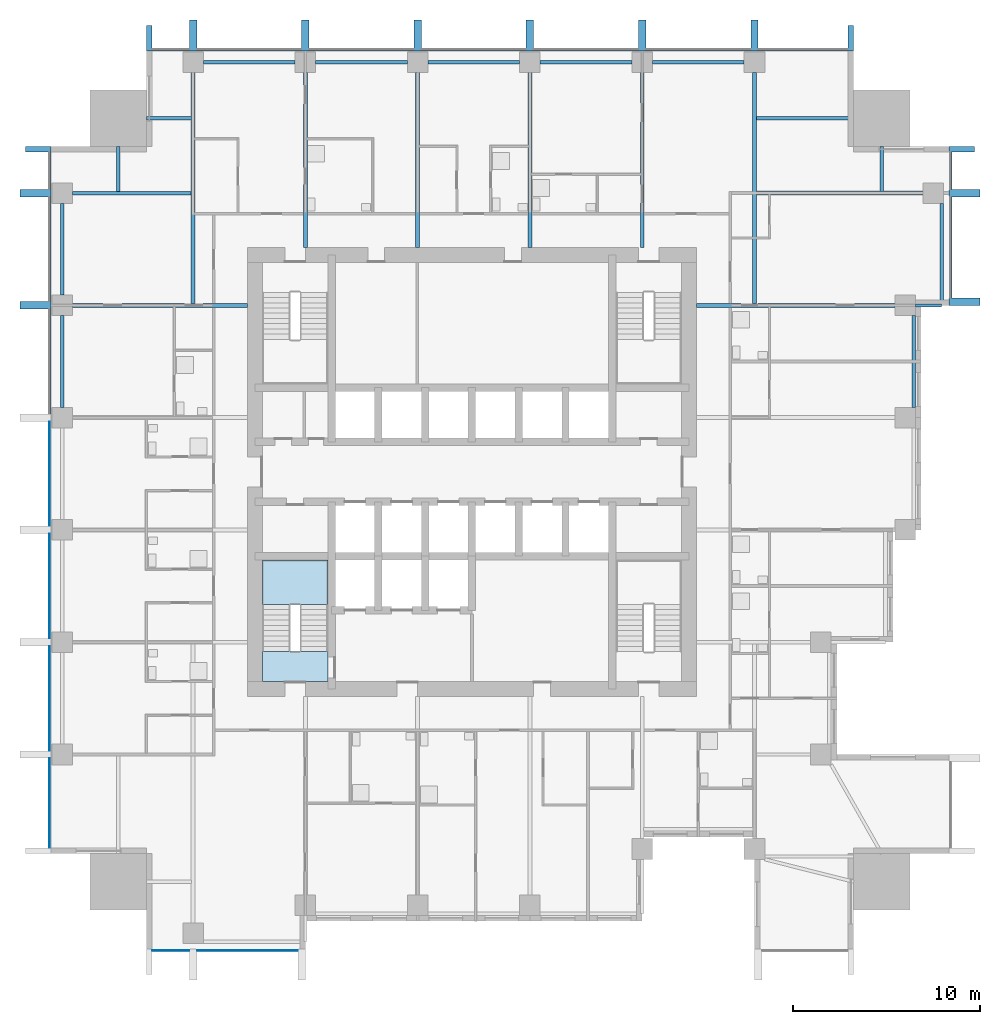
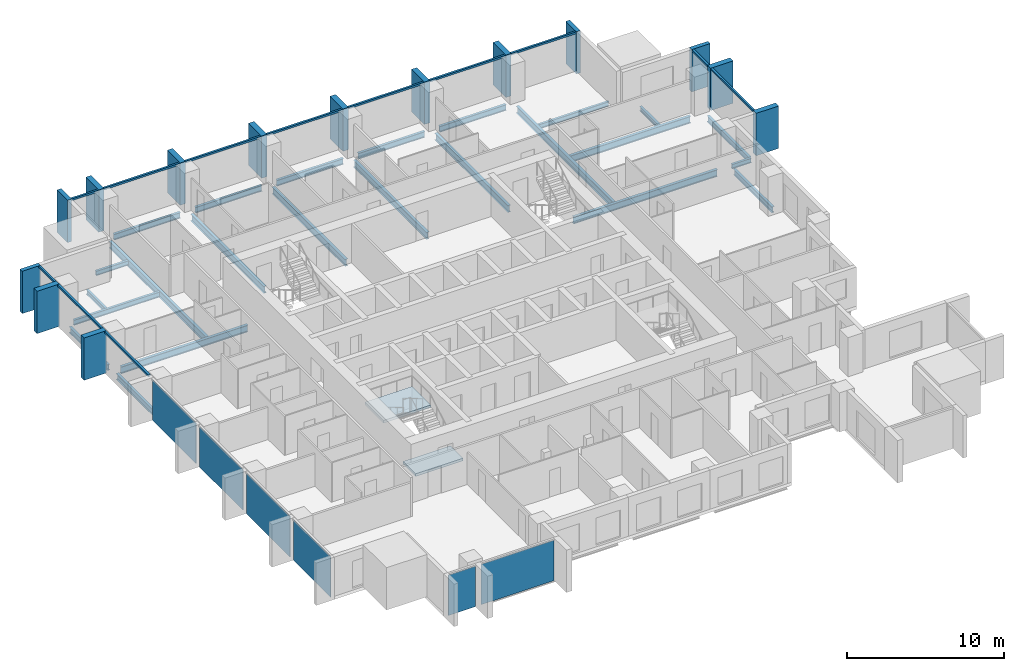
# One storey, part 2 of 10: 26 members, 24 beams, 6 plates, 2 slabs, 5 elements without a shape of their own.
"""IFC4 building model written with IfcOpenShell, lengths in metres."""

from ifc_helpers import new_model, si_unit, direction, frame, origin, origin_2d, place, context, subcontext, project, spatial, polyline, rectangle, i_section, outline, extrude, material, layer, layer_set, material_profile, profile_set, type_object, element, aggregate, save


model = new_model("IFC4")

# Units and contexts
model_context = context("Model", 3, precision=1e-05, world=origin(), true_north=direction((0.0, 1.0)))
body_context = subcontext(model_context, "Body", "Model", "MODEL_VIEW")
ifc_project = project(units=[si_unit("LENGTHUNIT", "METRE"), si_unit("AREAUNIT", "SQUARE_METRE"), si_unit("VOLUMEUNIT", "CUBIC_METRE"), si_unit("PLANEANGLEUNIT", "RADIAN"), si_unit("MASSUNIT", "GRAM", prefix="KILO")], contexts=[model_context])

# Site, building, storey
site_placement = place(None, origin())
site = spatial("IfcSite", under=ifc_project, at=site_placement, CompositionType="ELEMENT")
building_placement = place(site_placement, origin())
building = spatial("IfcBuilding", under=site, at=building_placement, Name="Amberfall Residences", CompositionType="ELEMENT")
storey_placement = place(building_placement, frame((0.0, 0.0, 101.800048828125)))
storey = spatial("IfcBuildingStorey", under=building, at=storey_placement, Name="L27", CompositionType="ELEMENT", Elevation=101.800048828125)

# Curtain wall, members
ifc_material_1 = material(Name="Bronze anodised aluminium and glass", Category="aluminium")
curtain_wall_type = type_object("IfcCurtainWallType", Name="Curtain wall CW1 tower unit", PredefinedType="USERDEFINED", material=ifc_material_1)
curtain_wall_1_placement = place(storey_placement, origin())
curtain_wall_1 = element("IfcCurtainWall", 1, at=curtain_wall_1_placement, inside=storey, type_object=curtain_wall_type, Name="Curtain wall L27 E E10", ObjectType="UNITISED CURTAIN WALL", PredefinedType="USERDEFINED")
ifc_material_2 = material(Name="Bronze anodised aluminium", Category="aluminium")
ifc_material_profile_1 = material_profile(ifc_material_2, rectangle(XDim=0.14990234375, YDim=0.14990234375, at=origin_2d()), Name="CW1 transom 150 x 150 bronze")
ifc_profile_set_1 = profile_set([ifc_material_profile_1], Name="Bronze anodised aluminium")
member_type_1 = type_object("IfcMemberType", Name="CW1 transom 150 x 150 bronze", PredefinedType="USERDEFINED", material=ifc_profile_set_1)
member_1_placement = place(storey_placement, frame((100.074951171875, 54.800048828125, 2.974853515625), z_axis=(0.0, 1.0, 0.0), x_axis=(-1.0, 0.0, 0.0)))
member_1 = element("IfcMember", 2, at=member_1_placement, type_object=member_type_1, Name="CW1 transom 1.1", ObjectType="TRANSOM", PredefinedType="USERDEFINED", context=body_context, shape_type="SweptSolid", body=[
    extrude(rectangle(XDim=0.14990234375, YDim=0.14990234375, at=origin_2d()), origin(), (0.0, 0.0, 1.0), 5.39990234375),
])
member_2_placement = place(storey_placement, frame((100.074951171875, 60.60009765625, 2.974853515625), z_axis=(0.0, 1.0, 0.0), x_axis=(-1.0, 0.0, 0.0)))
member_2 = element("IfcMember", 3, at=member_2_placement, type_object=member_type_1, Name="CW1 transom 2.1", ObjectType="TRANSOM", PredefinedType="USERDEFINED", context=body_context, shape_type="SweptSolid", body=[
    extrude(rectangle(XDim=0.14990234375, YDim=0.14990234375, at=origin_2d()), origin(), (0.0, 0.0, 1.0), 2.0),
])

curtain_wall_2_placement = place(storey_placement, origin())
curtain_wall_2 = element("IfcCurtainWall", 4, at=curtain_wall_2_placement, inside=storey, type_object=curtain_wall_type, Name="Curtain wall L27 N N1", ObjectType="UNITISED CURTAIN WALL", PredefinedType="USERDEFINED")
member_3_placement = place(storey_placement, frame((94.60009765625, 68.074951171875, 2.974853515625), z_axis=(-1.0, 0.0, 0.0), x_axis=(0.0, -1.0, 0.0)))
member_3 = element("IfcMember", 5, at=member_3_placement, type_object=member_type_1, Name="CW1 transom 1.1", ObjectType="TRANSOM", PredefinedType="USERDEFINED", context=body_context, shape_type="SweptSolid", body=[
    extrude(rectangle(XDim=0.14990234375, YDim=0.14990234375, at=origin_2d()), origin(), (0.0, 0.0, 1.0), 4.800048828125),
])
member_4_placement = place(storey_placement, frame((89.39990234375, 68.074951171875, 2.974853515625), z_axis=(-1.0, 0.0, 0.0), x_axis=(0.0, -1.0, 0.0)))
member_4 = element("IfcMember", 6, at=member_4_placement, type_object=member_type_1, Name="CW1 transom 2.1", ObjectType="TRANSOM", PredefinedType="USERDEFINED", context=body_context, shape_type="SweptSolid", body=[
    extrude(rectangle(XDim=0.14990234375, YDim=0.14990234375, at=origin_2d()), origin(), (0.0, 0.0, 1.0), 5.599853515625),
])
member_5_placement = place(storey_placement, frame((83.39990234375, 68.074951171875, 2.974853515625), z_axis=(-1.0, 0.0, 0.0), x_axis=(0.0, -1.0, 0.0)))
member_5 = element("IfcMember", 7, at=member_5_placement, type_object=member_type_1, Name="CW1 transom 3.1", ObjectType="TRANSOM", PredefinedType="USERDEFINED", context=body_context, shape_type="SweptSolid", body=[
    extrude(rectangle(XDim=0.14990234375, YDim=0.14990234375, at=origin_2d()), origin(), (0.0, 0.0, 1.0), 5.599853515625),
])
member_6_placement = place(storey_placement, frame((77.39990234375, 68.074951171875, 2.974853515625), z_axis=(-1.0, 0.0, 0.0), x_axis=(0.0, -1.0, 0.0)))
member_6 = element("IfcMember", 8, at=member_6_placement, type_object=member_type_1, Name="CW1 transom 4.1", ObjectType="TRANSOM", PredefinedType="USERDEFINED", context=body_context, shape_type="SweptSolid", body=[
    extrude(rectangle(XDim=0.14990234375, YDim=0.14990234375, at=origin_2d()), origin(), (0.0, 0.0, 1.0), 5.599853515625),
])
member_7_placement = place(storey_placement, frame((71.39990234375, 68.074951171875, 2.974853515625), z_axis=(-1.0, 0.0, 0.0), x_axis=(0.0, -1.0, 0.0)))
member_7 = element("IfcMember", 9, at=member_7_placement, type_object=member_type_1, Name="CW1 transom 5.1", ObjectType="TRANSOM", PredefinedType="USERDEFINED", context=body_context, shape_type="SweptSolid", body=[
    extrude(rectangle(XDim=0.14990234375, YDim=0.14990234375, at=origin_2d()), origin(), (0.0, 0.0, 1.0), 5.599853515625),
])
member_8_placement = place(storey_placement, frame((65.39990234375, 68.074951171875, 2.974853515625), z_axis=(-1.0, 0.0, 0.0), x_axis=(0.0, -1.0, 0.0)))
member_8 = element("IfcMember", 10, at=member_8_placement, type_object=member_type_1, Name="CW1 transom 6.1", ObjectType="TRANSOM", PredefinedType="USERDEFINED", context=body_context, shape_type="SweptSolid", body=[
    extrude(rectangle(XDim=0.14990234375, YDim=0.14990234375, at=origin_2d()), origin(), (0.0, 0.0, 1.0), 5.599853515625),
])
member_9_placement = place(storey_placement, frame((59.39990234375, 68.074951171875, 2.974853515625), z_axis=(-1.0, 0.0, 0.0), x_axis=(0.0, -1.0, 0.0)))
member_9 = element("IfcMember", 11, at=member_9_placement, type_object=member_type_1, Name="CW1 transom 7.1", ObjectType="TRANSOM", PredefinedType="USERDEFINED", context=body_context, shape_type="SweptSolid", body=[
    extrude(rectangle(XDim=0.14990234375, YDim=0.14990234375, at=origin_2d()), origin(), (0.0, 0.0, 1.0), 2.0),
])

curtain_wall_3_placement = place(storey_placement, origin())
curtain_wall_3 = element("IfcCurtainWall", 12, at=curtain_wall_3_placement, inside=storey, type_object=curtain_wall_type, Name="Curtain wall L27 W W1", ObjectType="UNITISED CURTAIN WALL", PredefinedType="USERDEFINED")
member_10_placement = place(storey_placement, frame((51.925048828125, 62.60009765625, 2.974853515625), z_axis=(0.0, -1.0, 0.0), x_axis=(1.0, 0.0, 0.0)))
member_10 = element("IfcMember", 13, at=member_10_placement, type_object=member_type_1, Name="CW1 transom 1.1", ObjectType="TRANSOM", PredefinedType="USERDEFINED", context=body_context, shape_type="SweptSolid", body=[
    extrude(rectangle(XDim=0.14990234375, YDim=0.14990234375, at=origin_2d()), origin(), (0.0, 0.0, 1.0), 2.0),
])
member_11_placement = place(storey_placement, frame((51.925048828125, 60.199951171875, 2.974853515625), z_axis=(0.0, -1.0, 0.0), x_axis=(1.0, 0.0, 0.0)))
member_11 = element("IfcMember", 14, at=member_11_placement, type_object=member_type_1, Name="CW1 transom 2.1", ObjectType="TRANSOM", PredefinedType="USERDEFINED", context=body_context, shape_type="SweptSolid", body=[
    extrude(rectangle(XDim=0.14990234375, YDim=0.14990234375, at=origin_2d()), origin(), (0.0, 0.0, 1.0), 5.599853515625),
])
member_12_placement = place(storey_placement, frame((51.925048828125, 54.199951171875, 2.974853515625), z_axis=(0.0, -1.0, 0.0), x_axis=(1.0, 0.0, 0.0)))
member_12 = element("IfcMember", 15, at=member_12_placement, type_object=member_type_1, Name="CW1 transom 3.1", ObjectType="TRANSOM", PredefinedType="USERDEFINED", context=body_context, shape_type="SweptSolid", body=[
    extrude(rectangle(XDim=0.14990234375, YDim=0.14990234375, at=origin_2d()), origin(), (0.0, 0.0, 1.0), 5.599853515625),
])

# Beam
ifc_material_3 = material(Name="Steel S355", Category="steel")
ifc_material_profile_2 = material_profile(ifc_material_3, i_section(OverallWidth=0.171142578125, OverallDepth=0.351318359375, WebThickness=0.007080078125, FlangeThickness=0.009765625, FilletRadius=0.01025390625, at=origin_2d()), Name="UB 356x171x45")
ifc_profile_set_2 = profile_set([ifc_material_profile_2], Name="Steel S355")
beam_type_1 = type_object("IfcBeamType", Name="Cantilever girder UB 356x171x45", PredefinedType="BEAM", material=ifc_profile_set_2)
beam_1_placement = place(storey_placement, frame((98.199951171875, 54.39990234375, -0.42578125), z_axis=(1.0, 0.0, 0.0), x_axis=(0.0, 1.0, 0.0)))
element("IfcBeam", 16, at=beam_1_placement, inside=storey, type_object=beam_type_1, Name="Cantilever girder B8 L27 20", PredefinedType="BEAM", context=body_context, shape_type="SweptSolid", body=[
    extrude(i_section(OverallWidth=0.171142578125, OverallDepth=0.351318359375, WebThickness=0.007080078125, FlangeThickness=0.009765625, FilletRadius=0.01025390625, at=origin_2d()), origin(), (0.0, 0.0, 1.0), 1.400146484375),
])

# Member
ifc_material_profile_3 = material_profile(ifc_material_2, rectangle(XDim=1.35009765625, YDim=0.300048828125, at=origin_2d()), Name="Corner fin 300 x 1350 bronze")
ifc_profile_set_3 = profile_set([ifc_material_profile_3], Name="Bronze anodised aluminium")
member_type_2 = type_object("IfcMemberType", Name="Corner fin 300 x 1350 bronze", PredefinedType="MULLION", material=ifc_profile_set_3)
member_13_placement = place(storey_placement, frame((100.675048828125, 62.75, -0.25), z_axis=(0.0, 0.0, 1.0), x_axis=(-1.0, 0.0, 0.0)))
member_13 = element("IfcMember", 17, at=member_13_placement, type_object=member_type_2, Name="CW FIN 3", PredefinedType="MULLION", context=body_context, shape_type="SweptSolid", body=[
    extrude(rectangle(XDim=1.35009765625, YDim=0.300048828125, at=origin_2d()), origin(), (0.0, 0.0, 1.0), 3.300048828125),
])

member_14_placement = place(storey_placement, frame((94.75, 68.675048828125, -0.25), z_axis=(0.0, 0.0, 1.0), x_axis=(0.0, -1.0, 0.0)))
member_14 = element("IfcMember", 18, at=member_14_placement, type_object=member_type_2, Name="CW FIN 1", PredefinedType="MULLION", context=body_context, shape_type="SweptSolid", body=[
    extrude(rectangle(XDim=1.35009765625, YDim=0.300048828125, at=origin_2d()), origin(), (0.0, 0.0, 1.0), 3.300048828125),
])

member_15_placement = place(storey_placement, frame((57.25, 68.675048828125, -0.25), z_axis=(0.0, 0.0, 1.0), x_axis=(0.0, -1.0, 0.0)))
member_15 = element("IfcMember", 19, at=member_15_placement, type_object=member_type_2, Name="CW FIN 8", PredefinedType="MULLION", context=body_context, shape_type="SweptSolid", body=[
    extrude(rectangle(XDim=1.35009765625, YDim=0.300048828125, at=origin_2d()), origin(), (0.0, 0.0, 1.0), 3.300048828125),
])

member_16_placement = place(storey_placement, frame((51.324951171875, 62.75, -0.25), z_axis=(0.0, 0.0, 1.0), x_axis=(1.0, 0.0, 0.0)))
member_16 = element("IfcMember", 20, at=member_16_placement, type_object=member_type_2, Name="CW FIN 1", PredefinedType="MULLION", context=body_context, shape_type="SweptSolid", body=[
    extrude(rectangle(XDim=1.35009765625, YDim=0.300048828125, at=origin_2d()), origin(), (0.0, 0.0, 1.0), 3.300048828125),
])

# Beams
ifc_material_profile_4 = material_profile(ifc_material_3, i_section(OverallWidth=0.18994140625, OverallDepth=0.453369140625, WebThickness=0.008544921875, FlangeThickness=0.0126953125, FilletRadius=0.01025390625, at=origin_2d()), Name="UB 457x191x67")
ifc_profile_set_4 = profile_set([ifc_material_profile_4], Name="Steel S355")
beam_type_2 = type_object("IfcBeamType", Name="Edge beam UB 457x191x67", PredefinedType="SPANDREL", material=ifc_profile_set_4)
beam_2_placement = place(storey_placement, frame((98.10009765625, 48.949951171875, -0.476806640625), z_axis=(0.0, 1.0, 0.0), x_axis=(-1.0, 0.0, 0.0)))
element("IfcBeam", 21, at=beam_2_placement, inside=storey, type_object=beam_type_2, Name="Edge beam B1 L27 17", PredefinedType="SPANDREL", context=body_context, shape_type="SweptSolid", body=[
    extrude(i_section(OverallWidth=0.18994140625, OverallDepth=0.453369140625, WebThickness=0.008544921875, FlangeThickness=0.0126953125, FilletRadius=0.01025390625, at=origin_2d()), origin(), (0.0, 0.0, 1.0), 4.900146484375),
])
beam_3_placement = place(storey_placement, frame((99.60009765625, 54.47998046875, -0.476806640625), z_axis=(0.0, 1.0, 0.0), x_axis=(-1.0, 0.0, 0.0)))
element("IfcBeam", 22, at=beam_3_placement, inside=storey, type_object=beam_type_2, Name="Edge beam B1 L27 18", PredefinedType="SPANDREL", context=body_context, shape_type="SweptSolid", body=[
    extrude(i_section(OverallWidth=0.18994140625, OverallDepth=0.453369140625, WebThickness=0.008544921875, FlangeThickness=0.0126953125, FilletRadius=0.01025390625, at=origin_2d()), origin(), (0.0, 0.0, 1.0), 5.3701171875),
])
for number, where, z_axis, x_axis, name in (
    (23, (60.14990234375, 67.39990234375, -0.476806640625), (1.0, 0.0, 0.0), (0.0, 1.0, 0.0), "Edge beam B1 L27 27"),
    (24, (66.14990234375, 67.39990234375, -0.476806640625), (1.0, 0.0, 0.0), (0.0, 1.0, 0.0), "Edge beam B1 L27 28"),
    (25, (72.14990234375, 67.39990234375, -0.476806640625), (1.0, 0.0, 0.0), (0.0, 1.0, 0.0), "Edge beam B1 L27 29"),
    (26, (78.14990234375, 67.39990234375, -0.476806640625), (1.0, 0.0, 0.0), (0.0, 1.0, 0.0), "Edge beam B1 L27 30"),
    (27, (84.14990234375, 67.39990234375, -0.476806640625), (1.0, 0.0, 0.0), (0.0, 1.0, 0.0), "Edge beam B1 L27 31"),
    (28, (52.60009765625, 48.949951171875, -0.476806640625), (0.0, 1.0, 0.0), (-1.0, 0.0, 0.0), "Edge beam B1 L27 41"),
    (29, (52.60009765625, 54.949951171875, -0.476806640625), (0.0, 1.0, 0.0), (-1.0, 0.0, 0.0), "Edge beam B1 L27 42"),
):
    element("IfcBeam", number, at=place(storey_placement, frame(where, z_axis=z_axis, x_axis=x_axis)), inside=storey, type_object=beam_type_2, Name=name, PredefinedType="SPANDREL", context=body_context, shape_type="SweptSolid", body=[
        extrude(i_section(OverallWidth=0.18994140625, OverallDepth=0.453369140625, WebThickness=0.008544921875, FlangeThickness=0.0126953125, FilletRadius=0.01025390625, at=origin_2d()), origin(), (0.0, 0.0, 1.0), 4.900146484375),
    ])

# Member
ifc_material_profile_5 = material_profile(ifc_material_2, rectangle(XDim=1.64990234375, YDim=0.39990234375, at=origin_2d()), Name="Fin 400 x 1650 bronze")
ifc_profile_set_5 = profile_set([ifc_material_profile_5], Name="Bronze anodised aluminium")
member_type_3 = type_object("IfcMemberType", Name="Fin 400 x 1650 bronze", PredefinedType="MULLION", material=ifc_profile_set_5)
member_17_placement = place(storey_placement, frame((100.824951171875, 54.60009765625, -0.25), z_axis=(0.0, 0.0, 1.0), x_axis=(-1.0, 0.0, 0.0)))
member_17 = element("IfcMember", 30, at=member_17_placement, type_object=member_type_3, Name="CW FIN 1", PredefinedType="MULLION", context=body_context, shape_type="SweptSolid", body=[
    extrude(rectangle(XDim=1.64990234375, YDim=0.39990234375, at=origin_2d()), origin(), (0.0, 0.0, 1.0), 3.300048828125),
])

member_18_placement = place(storey_placement, frame((100.824951171875, 60.39990234375, -0.25), z_axis=(0.0, 0.0, 1.0), x_axis=(-1.0, 0.0, 0.0)))
member_18 = element("IfcMember", 31, at=member_18_placement, type_object=member_type_3, Name="CW FIN 2", PredefinedType="MULLION", context=body_context, shape_type="SweptSolid", body=[
    extrude(rectangle(XDim=1.64990234375, YDim=0.39990234375, at=origin_2d()), origin(), (0.0, 0.0, 1.0), 3.300048828125),
])

aggregate(curtain_wall_1, [member_17, member_18, member_13, member_1, member_2])

member_19_placement = place(storey_placement, frame((89.60009765625, 68.824951171875, -0.25), z_axis=(0.0, 0.0, 1.0), x_axis=(0.0, -1.0, 0.0)))
member_19 = element("IfcMember", 32, at=member_19_placement, type_object=member_type_3, Name="CW FIN 2", PredefinedType="MULLION", context=body_context, shape_type="SweptSolid", body=[
    extrude(rectangle(XDim=1.64990234375, YDim=0.39990234375, at=origin_2d()), origin(), (0.0, 0.0, 1.0), 3.300048828125),
])

member_20_placement = place(storey_placement, frame((83.60009765625, 68.824951171875, -0.25), z_axis=(0.0, 0.0, 1.0), x_axis=(0.0, -1.0, 0.0)))
member_20 = element("IfcMember", 33, at=member_20_placement, type_object=member_type_3, Name="CW FIN 3", PredefinedType="MULLION", context=body_context, shape_type="SweptSolid", body=[
    extrude(rectangle(XDim=1.64990234375, YDim=0.39990234375, at=origin_2d()), origin(), (0.0, 0.0, 1.0), 3.300048828125),
])

member_21_placement = place(storey_placement, frame((77.60009765625, 68.824951171875, -0.25), z_axis=(0.0, 0.0, 1.0), x_axis=(0.0, -1.0, 0.0)))
member_21 = element("IfcMember", 34, at=member_21_placement, type_object=member_type_3, Name="CW FIN 4", PredefinedType="MULLION", context=body_context, shape_type="SweptSolid", body=[
    extrude(rectangle(XDim=1.64990234375, YDim=0.39990234375, at=origin_2d()), origin(), (0.0, 0.0, 1.0), 3.300048828125),
])

member_22_placement = place(storey_placement, frame((71.60009765625, 68.824951171875, -0.25), z_axis=(0.0, 0.0, 1.0), x_axis=(0.0, -1.0, 0.0)))
member_22 = element("IfcMember", 35, at=member_22_placement, type_object=member_type_3, Name="CW FIN 5", PredefinedType="MULLION", context=body_context, shape_type="SweptSolid", body=[
    extrude(rectangle(XDim=1.64990234375, YDim=0.39990234375, at=origin_2d()), origin(), (0.0, 0.0, 1.0), 3.300048828125),
])

member_23_placement = place(storey_placement, frame((65.60009765625, 68.824951171875, -0.25), z_axis=(0.0, 0.0, 1.0), x_axis=(0.0, -1.0, 0.0)))
member_23 = element("IfcMember", 36, at=member_23_placement, type_object=member_type_3, Name="CW FIN 6", PredefinedType="MULLION", context=body_context, shape_type="SweptSolid", body=[
    extrude(rectangle(XDim=1.64990234375, YDim=0.39990234375, at=origin_2d()), origin(), (0.0, 0.0, 1.0), 3.300048828125),
])

member_24_placement = place(storey_placement, frame((59.60009765625, 68.824951171875, -0.25), z_axis=(0.0, 0.0, 1.0), x_axis=(0.0, -1.0, 0.0)))
member_24 = element("IfcMember", 37, at=member_24_placement, type_object=member_type_3, Name="CW FIN 7", PredefinedType="MULLION", context=body_context, shape_type="SweptSolid", body=[
    extrude(rectangle(XDim=1.64990234375, YDim=0.39990234375, at=origin_2d()), origin(), (0.0, 0.0, 1.0), 3.300048828125),
])

aggregate(curtain_wall_2, [member_14, member_19, member_20, member_21, member_22, member_23, member_24, member_15, member_3, member_4, member_5, member_6, member_7, member_8, member_9])

member_25_placement = place(storey_placement, frame((51.175048828125, 60.39990234375, -0.25), z_axis=(0.0, 0.0, 1.0), x_axis=(1.0, 0.0, 0.0)))
member_25 = element("IfcMember", 38, at=member_25_placement, type_object=member_type_3, Name="CW FIN 2", PredefinedType="MULLION", context=body_context, shape_type="SweptSolid", body=[
    extrude(rectangle(XDim=1.64990234375, YDim=0.39990234375, at=origin_2d()), origin(), (0.0, 0.0, 1.0), 3.300048828125),
])

member_26_placement = place(storey_placement, frame((51.175048828125, 54.39990234375, -0.25), z_axis=(0.0, 0.0, 1.0), x_axis=(1.0, 0.0, 0.0)))
member_26 = element("IfcMember", 39, at=member_26_placement, type_object=member_type_3, Name="CW FIN 3", PredefinedType="MULLION", context=body_context, shape_type="SweptSolid", body=[
    extrude(rectangle(XDim=1.64990234375, YDim=0.39990234375, at=origin_2d()), origin(), (0.0, 0.0, 1.0), 3.300048828125),
])

# Beams
ifc_material_profile_6 = material_profile(ifc_material_3, i_section(OverallWidth=0.177734375, OverallDepth=0.402587890625, WebThickness=0.0078125, FlangeThickness=0.010986328125, FilletRadius=0.01025390625, at=origin_2d()), Name="UB 406x178x54")
ifc_profile_set_6 = profile_set([ifc_material_profile_6], Name="Steel S355")
beam_type_3 = type_object("IfcBeamType", Name="Floor girder UB 406x178x54", PredefinedType="BEAM", material=ifc_profile_set_6)
beam_4_placement = place(storey_placement, frame((53.14990234375, 60.39990234375, -0.451416015625), z_axis=(1.0, 0.0, 0.0), x_axis=(0.0, 1.0, 0.0)))
element("IfcBeam", 40, at=beam_4_placement, inside=storey, type_object=beam_type_3, Name="Floor girder B4 L27 48", PredefinedType="BEAM", context=body_context, shape_type="SweptSolid", body=[
    extrude(i_section(OverallWidth=0.177734375, OverallDepth=0.402587890625, WebThickness=0.0078125, FlangeThickness=0.010986328125, FilletRadius=0.01025390625, at=origin_2d()), origin(), (0.0, 0.0, 1.0), 6.330078125),
])
ifc_material_profile_7 = material_profile(ifc_material_3, i_section(OverallWidth=0.210693359375, OverallDepth=0.53955078125, WebThickness=0.01171875, FlangeThickness=0.018798828125, FilletRadius=0.0126953125, at=origin_2d()), Name="UB 533x210x109")
ifc_profile_set_7 = profile_set([ifc_material_profile_7], Name="Steel S355")
beam_type_4 = type_object("IfcBeamType", Name="Floor girder UB 533x210x109", PredefinedType="BEAM", material=ifc_profile_set_7)
for number, where, z_axis, x_axis, name in (
    (41, (59.60009765625, 66.85009765625, -0.519775390625), (0.0, -1.0, 0.0), (1.0, 0.0, 0.0), "Floor girder B2 L27 32"),
    (42, (89.60009765625, 66.85009765625, -0.519775390625), (0.0, -1.0, 0.0), (1.0, 0.0, 0.0), "Floor girder B2 L27 37"),
):
    element("IfcBeam", number, at=place(storey_placement, frame(where, z_axis=z_axis, x_axis=x_axis)), inside=storey, type_object=beam_type_4, Name=name, PredefinedType="BEAM", context=body_context, shape_type="SweptSolid", body=[
        extrude(i_section(OverallWidth=0.210693359375, OverallDepth=0.53955078125, WebThickness=0.01171875, FlangeThickness=0.018798828125, FilletRadius=0.0126953125, at=origin_2d()), origin(), (0.0, 0.0, 1.0), 12.3505859375),
    ])
ifc_material_profile_8 = material_profile(ifc_material_3, i_section(OverallWidth=0.209228515625, OverallDepth=0.533203125, WebThickness=0.010009765625, FlangeThickness=0.015625, FilletRadius=0.0126953125, at=origin_2d()), Name="UB 533x210x92")
ifc_profile_set_8 = profile_set([ifc_material_profile_8], Name="Steel S355")
beam_type_5 = type_object("IfcBeamType", Name="Floor girder UB 533x210x92", PredefinedType="BEAM", material=ifc_profile_set_8)
beam_5_placement = place(storey_placement, frame((97.10009765625, 54.39990234375, -0.5166015625), z_axis=(-1.0, 0.0, 0.0), x_axis=(0.0, -1.0, 0.0)))
element("IfcBeam", 43, at=beam_5_placement, inside=storey, type_object=beam_type_5, Name="Floor girder B3 L27 25", PredefinedType="BEAM", context=body_context, shape_type="SweptSolid", body=[
    extrude(i_section(OverallWidth=0.209228515625, OverallDepth=0.533203125, WebThickness=0.010009765625, FlangeThickness=0.015625, FilletRadius=0.0126953125, at=origin_2d()), origin(), (0.0, 0.0, 1.0), 10.60009765625),
])
beam_6_placement = place(storey_placement, frame((98.60009765625, 60.39990234375, -0.5166015625), z_axis=(-1.0, 0.0, 0.0), x_axis=(0.0, -1.0, 0.0)))
element("IfcBeam", 44, at=beam_6_placement, inside=storey, type_object=beam_type_5, Name="Floor girder B3 L27 26", PredefinedType="BEAM", context=body_context, shape_type="SweptSolid", body=[
    extrude(i_section(OverallWidth=0.209228515625, OverallDepth=0.533203125, WebThickness=0.010009765625, FlangeThickness=0.015625, FilletRadius=0.0126953125, at=origin_2d()), origin(), (0.0, 0.0, 1.0), 8.880126953125),
])
for number, where, z_axis, x_axis, name in (
    (45, (65.60009765625, 66.85009765625, -0.5166015625), (0.0, -1.0, 0.0), (1.0, 0.0, 0.0), "Floor girder B3 L27 33"),
    (46, (71.60009765625, 66.85009765625, -0.5166015625), (0.0, -1.0, 0.0), (1.0, 0.0, 0.0), "Floor girder B3 L27 34"),
    (47, (77.60009765625, 66.85009765625, -0.5166015625), (0.0, -1.0, 0.0), (1.0, 0.0, 0.0), "Floor girder B3 L27 35"),
    (48, (83.60009765625, 66.85009765625, -0.5166015625), (0.0, -1.0, 0.0), (1.0, 0.0, 0.0), "Floor girder B3 L27 36"),
    (49, (53.14990234375, 54.39990234375, -0.5166015625), (1.0, 0.0, 0.0), (0.0, 1.0, 0.0), "Floor girder B3 L27 47"),
):
    element("IfcBeam", number, at=place(storey_placement, frame(where, z_axis=z_axis, x_axis=x_axis)), inside=storey, type_object=beam_type_5, Name=name, PredefinedType="BEAM", context=body_context, shape_type="SweptSolid", body=[
        extrude(i_section(OverallWidth=0.209228515625, OverallDepth=0.533203125, WebThickness=0.010009765625, FlangeThickness=0.015625, FilletRadius=0.0126953125, at=origin_2d()), origin(), (0.0, 0.0, 1.0), 9.35009765625),
    ])
ifc_material_profile_9 = material_profile(ifc_material_3, i_section(OverallWidth=0.171142578125, OverallDepth=0.351318359375, WebThickness=0.007080078125, FlangeThickness=0.009765625, FilletRadius=0.01025390625, at=origin_2d()), Name="UB 356x171x45")
ifc_profile_set_9 = profile_set([ifc_material_profile_9], Name="Steel S355")
beam_type_6 = type_object("IfcBeamType", Name="Link beam UB 356x171x45", PredefinedType="BEAM", material=ifc_profile_set_9)
beam_7_placement = place(storey_placement, frame((94.89990234375, 64.39990234375, -0.42578125), z_axis=(-1.0, 0.0, 0.0), x_axis=(0.0, -1.0, 0.0)))
element("IfcBeam", 50, at=beam_7_placement, inside=storey, type_object=beam_type_6, Name="Link beam B7 L27 54", PredefinedType="BEAM", context=body_context, shape_type="SweptSolid", body=[
    extrude(i_section(OverallWidth=0.171142578125, OverallDepth=0.351318359375, WebThickness=0.007080078125, FlangeThickness=0.009765625, FilletRadius=0.01025390625, at=origin_2d()), origin(), (0.0, 0.0, 1.0), 5.20458984375),
])
beam_8_placement = place(storey_placement, frame((96.39990234375, 62.89990234375, -0.42578125), z_axis=(0.0, -1.0, 0.0), x_axis=(1.0, 0.0, 0.0)))
element("IfcBeam", 51, at=beam_8_placement, inside=storey, type_object=beam_type_6, Name="Link beam B7 L27 55", PredefinedType="BEAM", context=body_context, shape_type="SweptSolid", body=[
    extrude(i_section(OverallWidth=0.171142578125, OverallDepth=0.351318359375, WebThickness=0.007080078125, FlangeThickness=0.009765625, FilletRadius=0.01025390625, at=origin_2d()), origin(), (0.0, 0.0, 1.0), 2.4052734375),
])
beam_9_placement = place(storey_placement, frame((57.10009765625, 64.39990234375, -0.42578125), z_axis=(1.0, 0.0, 0.0), x_axis=(0.0, 1.0, 0.0)))
element("IfcBeam", 52, at=beam_9_placement, inside=storey, type_object=beam_type_6, Name="Link beam B7 L27 56", PredefinedType="BEAM", context=body_context, shape_type="SweptSolid", body=[
    extrude(i_section(OverallWidth=0.171142578125, OverallDepth=0.351318359375, WebThickness=0.007080078125, FlangeThickness=0.009765625, FilletRadius=0.01025390625, at=origin_2d()), origin(), (0.0, 0.0, 1.0), 2.404541015625),
])
beam_10_placement = place(storey_placement, frame((55.60009765625, 62.89990234375, -0.42578125), z_axis=(0.0, -1.0, 0.0), x_axis=(1.0, 0.0, 0.0)))
element("IfcBeam", 53, at=beam_10_placement, inside=storey, type_object=beam_type_6, Name="Link beam B7 L27 57", PredefinedType="BEAM", context=body_context, shape_type="SweptSolid", body=[
    extrude(i_section(OverallWidth=0.171142578125, OverallDepth=0.351318359375, WebThickness=0.007080078125, FlangeThickness=0.009765625, FilletRadius=0.01025390625, at=origin_2d()), origin(), (0.0, 0.0, 1.0), 2.4208984375),
])

# Curtain wall, plates
curtain_wall_4_placement = place(storey_placement, origin())
curtain_wall_4 = element("IfcCurtainWall", 54, at=curtain_wall_4_placement, inside=storey, type_object=curtain_wall_type, Name="Curtain wall L27 S S1", ObjectType="UNITISED CURTAIN WALL", PredefinedType="USERDEFINED")
ifc_material_4 = material(Name="Tinted double glazed unit", Category="glass")
ifc_layer_1 = layer(ifc_material_4, 0.035888671875)
ifc_layer_set_1 = layer_set([ifc_layer_1], Name="CW1 panel 36 glazing")
plate_type = type_object("IfcPlateType", Name="CW1 panel 36 glazing", PredefinedType="CURTAIN_PANEL", material=ifc_layer_set_1)
plate_1_placement = place(storey_placement, frame((58.39990234375, 19.925048828125, -0.25), z_axis=(0.0, 0.0, 1.0), x_axis=(1.0, 0.0, 0.0)))
plate_1 = element("IfcPlate", 55, at=plate_1_placement, type_object=plate_type, Name="CW1 panel 1.1", PredefinedType="CURTAIN_PANEL", context=body_context, shape_type="SweptSolid", body=[
    extrude(rectangle(XDim=1.97607421875, YDim=0.035888671875, at=origin_2d()), origin(), (0.0, 0.0, 1.0), 3.14990234375),
])
plate_2_placement = place(storey_placement, frame((62.5, 19.925048828125, -0.25), z_axis=(0.0, 0.0, 1.0), x_axis=(1.0, 0.0, 0.0)))
plate_2 = element("IfcPlate", 56, at=plate_2_placement, type_object=plate_type, Name="CW1 panel 2.1", PredefinedType="CURTAIN_PANEL", context=body_context, shape_type="SweptSolid", body=[
    extrude(rectangle(XDim=5.3759765625, YDim=0.035888671875, at=origin_2d()), origin(), (0.0, 0.0, 1.0), 3.14990234375),
])
aggregate(curtain_wall_4, [plate_1, plate_2])

# Plate
plate_3_placement = place(storey_placement, frame((51.925048828125, 45.39990234375, -0.25), z_axis=(0.0, 0.0, 1.0), x_axis=(0.0, -1.0, 0.0)))
plate_3 = element("IfcPlate", 57, at=plate_3_placement, type_object=plate_type, Name="CW1 panel 4.1", PredefinedType="CURTAIN_PANEL", context=body_context, shape_type="SweptSolid", body=[
    extrude(rectangle(XDim=5.575927734375, YDim=0.035888671875, at=origin_2d()), origin(), (0.0, 0.0, 1.0), 3.14990234375),
])

plate_4_placement = place(storey_placement, frame((51.925048828125, 39.39990234375, -0.25), z_axis=(0.0, 0.0, 1.0), x_axis=(0.0, -1.0, 0.0)))
plate_4 = element("IfcPlate", 58, at=plate_4_placement, type_object=plate_type, Name="CW1 panel 5.1", PredefinedType="CURTAIN_PANEL", context=body_context, shape_type="SweptSolid", body=[
    extrude(rectangle(XDim=5.575927734375, YDim=0.035888671875, at=origin_2d()), origin(), (0.0, 0.0, 1.0), 3.14990234375),
])

plate_5_placement = place(storey_placement, frame((51.925048828125, 33.39990234375, -0.25), z_axis=(0.0, 0.0, 1.0), x_axis=(0.0, -1.0, 0.0)))
plate_5 = element("IfcPlate", 59, at=plate_5_placement, type_object=plate_type, Name="CW1 panel 6.1", PredefinedType="CURTAIN_PANEL", context=body_context, shape_type="SweptSolid", body=[
    extrude(rectangle(XDim=5.575927734375, YDim=0.035888671875, at=origin_2d()), origin(), (0.0, 0.0, 1.0), 3.14990234375),
])

plate_6_placement = place(storey_placement, frame((51.925048828125, 27.800048828125, -0.25), z_axis=(0.0, 0.0, 1.0), x_axis=(0.0, -1.0, 0.0)))
plate_6 = element("IfcPlate", 60, at=plate_6_placement, type_object=plate_type, Name="CW1 panel 7.1", PredefinedType="CURTAIN_PANEL", context=body_context, shape_type="SweptSolid", body=[
    extrude(rectangle(XDim=4.77587890625, YDim=0.035888671875, at=origin_2d()), origin(), (0.0, 0.0, 1.0), 3.14990234375),
])

aggregate(curtain_wall_3, [member_16, member_25, member_26, member_10, member_11, member_12, plate_3, plate_4, plate_5, plate_6])

# Stair, slabs
ifc_material_5 = material(Name="Concrete C40", Category="concrete")
stair_type = type_object("IfcStairType", Name="Exit stair 20 risers 165.0 mm", PredefinedType="HALF_TURN_STAIR", material=ifc_material_5)
stair_placement = place(storey_placement, origin())
stair = element("IfcStair", 61, at=stair_placement, inside=storey, type_object=stair_type, Name="L27 Exit stair 1", PredefinedType="HALF_TURN_STAIR")
ifc_layer_2 = layer(ifc_material_5, 0.199951171875)
ifc_layer_set_2 = layer_set([ifc_layer_2], Name="Stair landing 200")
slab_type = type_object("IfcSlabType", Name="Stair landing 200", PredefinedType="LANDING", material=ifc_layer_set_2)
slab_1_placement = place(storey_placement, frame((0.0, 0.0, 1.449951171875)))
slab_1 = element("IfcSlab", 62, at=slab_1_placement, type_object=slab_type, Name="ST3 landing 1", PredefinedType="LANDING", context=body_context, shape_type="SweptSolid", body=[
    extrude(outline(polyline([(66.800048828125, 38.419921875), (66.800048828125, 40.800048828125), (63.300048828125, 40.800048828125), (63.300048828125, 38.419921875), (66.800048828125, 38.419921875)])), origin(), (0.0, 0.0, 1.0), 0.199951171875),
])
slab_2_placement = place(storey_placement, frame((0.0, 0.0, -0.199951171875)))
slab_2 = element("IfcSlab", 63, at=slab_2_placement, type_object=slab_type, Name="ST3 landing 2", PredefinedType="LANDING", context=body_context, shape_type="SweptSolid", body=[
    extrude(outline(polyline([(66.800048828125, 34.300048828125), (66.800048828125, 35.89990234375), (63.300048828125, 35.89990234375), (63.300048828125, 34.300048828125), (66.800048828125, 34.300048828125)])), origin(), (0.0, 0.0, 1.0), 0.199951171875),
])
aggregate(stair, [slab_1, slab_2])

save(model, "model.ifc")
